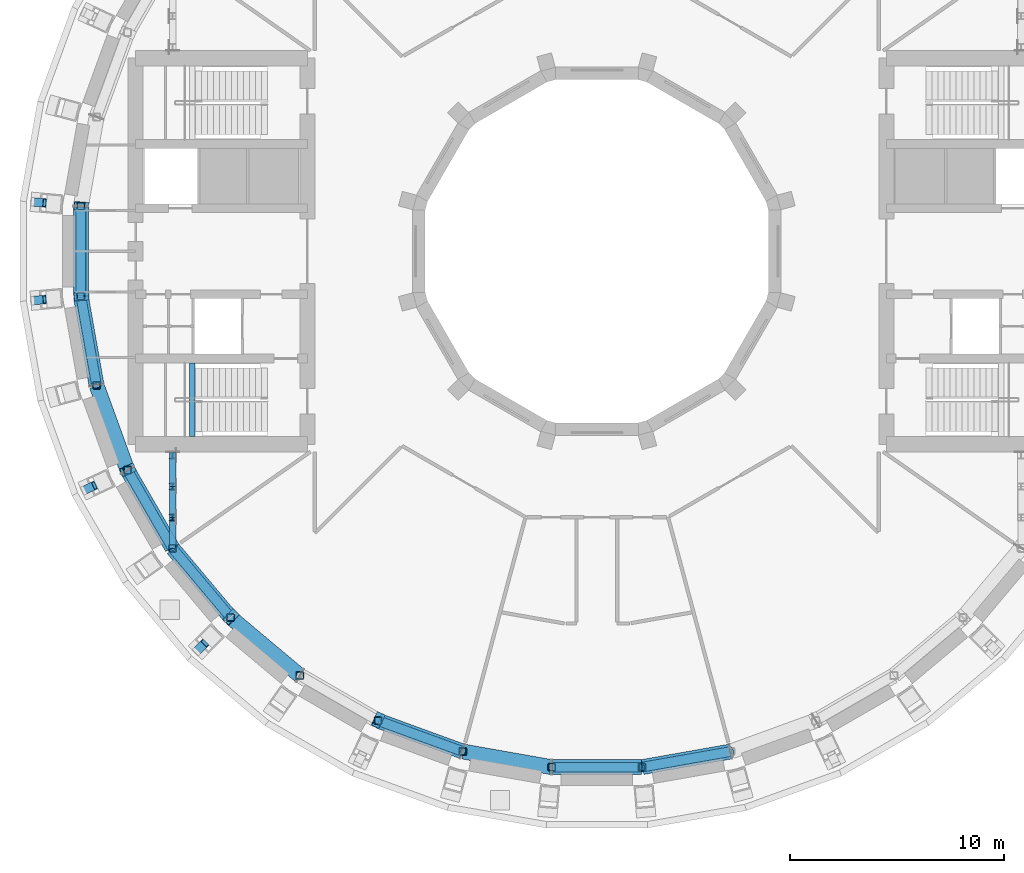
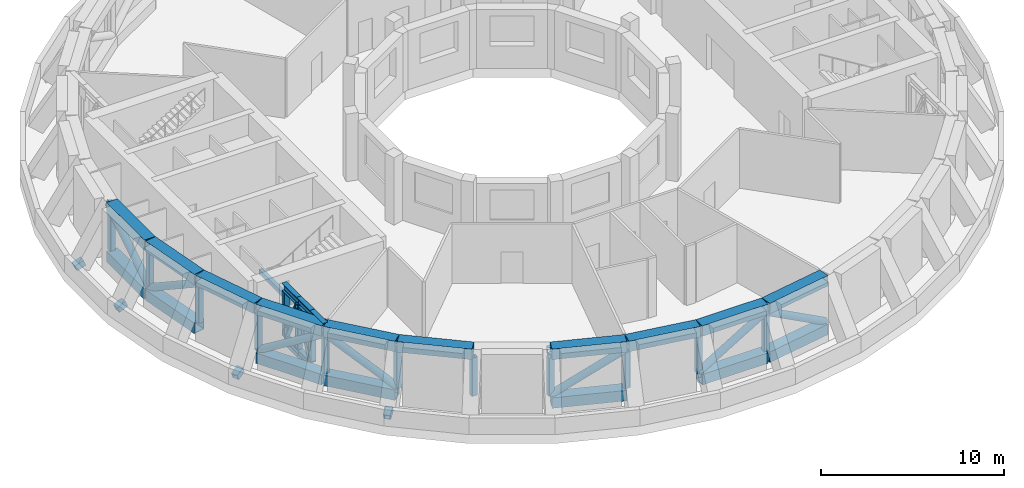
# One storey, part 2 of 20: 45 members, 10 beams.
"""IFC4 building model written with IfcOpenShell, lengths in metres."""

from ifc_helpers import new_model, si_unit, direction, frame, origin, origin_2d, place, context, subcontext, project, spatial, rectangle, hollow_rectangle, hollow_circle, i_section, extrude, material, material_profile, profile_set, type_object, element, save


model = new_model("IFC4")

# Units and contexts
model_context = context("Model", 3, precision=1e-05, world=origin(), true_north=direction((0.0, 1.0)))
body_context = subcontext(model_context, "Body", "Model", "MODEL_VIEW")
ifc_project = project(units=[si_unit("LENGTHUNIT", "METRE"), si_unit("AREAUNIT", "SQUARE_METRE"), si_unit("VOLUMEUNIT", "CUBIC_METRE"), si_unit("PLANEANGLEUNIT", "RADIAN"), si_unit("MASSUNIT", "GRAM", prefix="KILO")], contexts=[model_context])

# Site, building, storey
site_placement = place(None, origin())
site = spatial("IfcSite", under=ifc_project, at=site_placement, CompositionType="ELEMENT")
building_placement = place(site_placement, origin())
building = spatial("IfcBuilding", under=site, at=building_placement, Name="Saqina Gate Tower", CompositionType="ELEMENT")
storey_placement = place(building_placement, frame((0.0, 0.0, 151.300048828125)))
storey = spatial("IfcBuildingStorey", under=building, at=storey_placement, Name="L43", CompositionType="ELEMENT", Elevation=151.300048828125)

# Beam
ifc_material_1 = material(Name="Concrete C40/50", Category="concrete")
ifc_material_profile_1 = material_profile(ifc_material_1, rectangle(XDim=0.25, YDim=0.300048828125, at=origin_2d()), Name="STAIR LANDING BEAM")
ifc_profile_set_1 = profile_set([ifc_material_profile_1], Name="Concrete C40/50")
beam_type_1 = type_object("IfcBeamType", Name="STAIR LANDING BEAM", PredefinedType="BEAM", material=ifc_profile_set_1)
beam_placement = place(storey_placement, frame((-18.860107421875, -8.64990234375, 1.849853515625), z_axis=(0.0, 1.0, 0.0), x_axis=(-1.0, 0.0, 0.0)))
element("IfcBeam", 1, at=beam_placement, inside=storey, type_object=beam_type_1, Name="EXIT STAIR 4 LANDING BEAM", PredefinedType="BEAM", context=body_context, shape_type="SweptSolid", body=[
    extrude(rectangle(XDim=0.25, YDim=0.300048828125, at=origin_2d()), origin(), (0.0, 0.0, 1.0), 3.449951171875),
])

# Members
ifc_material_2 = material(Name="Steel S460", Category="steel")
ifc_material_profile_2 = material_profile(ifc_material_2, hollow_rectangle(XDim=0.699951171875, YDim=0.699951171875, WallThickness=0.0400390625, at=origin_2d()), Name="BOX 700x700x40")
ifc_profile_set_2 = profile_set([ifc_material_profile_2], Name="Steel S460")
member_type_1 = type_object("IfcMemberType", Name="STR-BELT TRUSS L43 CHORD-BOX 700x700x40", PredefinedType="CHORD", material=ifc_profile_set_2)
for number, where, z_axis, x_axis, name in (
    (2, (-24.05810546875, 2.07421875, 0.349853515625), (0.0, -1.0, 0.0), (1.0, 0.0, 0.0), "BELT TRUSS L43 CHORD 040"),
    (3, (-24.05810546875, 2.07421875, 3.599853515625), (0.0, -1.0, 0.0), (1.0, 0.0, 0.0), "BELT TRUSS L43 CHORD 041"),
):
    element("IfcMember", number, at=place(storey_placement, frame(where, z_axis=z_axis, x_axis=x_axis)), inside=storey, type_object=member_type_1, Name=name, PredefinedType="CHORD", context=body_context, shape_type="SweptSolid", body=[
        extrude(hollow_rectangle(XDim=0.699951171875, YDim=0.699951171875, WallThickness=0.0400390625, at=origin_2d()), origin(), (0.0, 0.0, 1.0), 4.1484375),
    ])
for number, where, z_axis, x_axis, name in (
    (4, (-24.052734375, -2.135009765625, 0.349853515625), (0.173620815343, -0.984812577336, 0.0), (0.984812577336, 0.173620815343, 0.0), "BELT TRUSS L43 CHORD 043"),
    (5, (-24.052734375, -2.135009765625, 3.599853515625), (0.173620815343, -0.984812577336, 0.0), (0.984812577336, 0.173620815343, 0.0), "BELT TRUSS L43 CHORD 044"),
):
    element("IfcMember", number, at=place(storey_placement, frame(where, z_axis=z_axis, x_axis=x_axis)), inside=storey, type_object=member_type_1, Name=name, PredefinedType="CHORD", context=body_context, shape_type="SweptSolid", body=[
        extrude(hollow_rectangle(XDim=0.699951171875, YDim=0.699951171875, WallThickness=0.0400390625, at=origin_2d()), origin(), (0.0, 0.0, 1.0), 4.148193359375),
    ])
for number, where, z_axis, x_axis, name in (
    (6, (-23.316650390625, -6.279296875, 3.599853515625), (0.342045465263, -0.939683403968, 0.0), (0.939683403968, 0.342045465263, 0.0), "BELT TRUSS L43 CHORD 046"),
    (7, (-21.8720703125, -10.232666015625, 0.349853515625), (0.4999873519, -0.866032706045, 0.0), (0.866032706045, 0.4999873519, 0.0), "BELT TRUSS L43 CHORD 047"),
    (8, (-21.8720703125, -10.232666015625, 3.599853515625), (0.4999873519, -0.866032706045, 0.0), (0.866032706045, 0.4999873519, 0.0), "BELT TRUSS L43 CHORD 048"),
):
    element("IfcMember", number, at=place(storey_placement, frame(where, z_axis=z_axis, x_axis=x_axis)), inside=storey, type_object=member_type_1, Name=name, PredefinedType="CHORD", context=body_context, shape_type="SweptSolid", body=[
        extrude(hollow_rectangle(XDim=0.699951171875, YDim=0.699951171875, WallThickness=0.0400390625, at=origin_2d()), origin(), (0.0, 0.0, 1.0), 4.1484375),
    ])
for number, where, z_axis, x_axis, name in (
    (9, (-19.762939453125, -13.875244140625, 0.349853515625), (0.642802807898, -0.766031690049, 0.0), (0.766031690049, 0.642802807898, 0.0), "BELT TRUSS L43 CHORD 050"),
    (10, (-19.762939453125, -13.875244140625, 3.599853515625), (0.642802807898, -0.766031690049, 0.0), (0.766031690049, 0.642802807898, 0.0), "BELT TRUSS L43 CHORD 051"),
    (11, (-17.05322265625, -17.09619140625, 3.599853515625), (0.766031690049, -0.642802807898, 0.0), (0.642802807898, 0.766031690049, 0.0), "BELT TRUSS L43 CHORD 053"),
):
    element("IfcMember", number, at=place(storey_placement, frame(where, z_axis=z_axis, x_axis=x_axis)), inside=storey, type_object=member_type_1, Name=name, PredefinedType="CHORD", context=body_context, shape_type="SweptSolid", body=[
        extrude(hollow_rectangle(XDim=0.699951171875, YDim=0.699951171875, WallThickness=0.0400390625, at=origin_2d()), origin(), (0.0, 0.0, 1.0), 4.148681640625),
    ])
for number, where, z_axis, x_axis, name in (
    (12, (-10.177490234375, -21.897705078125, 0.349853515625), (0.939683403968, -0.342045465263, 0.0), (0.342045465263, 0.939683403968, 0.0), "BELT TRUSS L43 CHORD 057"),
    (13, (-10.177490234375, -21.897705078125, 3.599853515625), (0.939683403968, -0.342045465263, 0.0), (0.342045465263, 0.939683403968, 0.0), "BELT TRUSS L43 CHORD 058"),
):
    element("IfcMember", number, at=place(storey_placement, frame(where, z_axis=z_axis, x_axis=x_axis)), inside=storey, type_object=member_type_1, Name=name, PredefinedType="CHORD", context=body_context, shape_type="SweptSolid", body=[
        extrude(hollow_rectangle(XDim=0.699951171875, YDim=0.699951171875, WallThickness=0.0400390625, at=origin_2d()), origin(), (0.0, 0.0, 1.0), 4.1484375),
    ])
member_1_placement = place(storey_placement, frame((-6.22021484375, -23.33251953125, 3.599853515625), z_axis=(0.984812577336, -0.173620815343, 0.0), x_axis=(0.173620815343, 0.984812577336, 0.0)))
element("IfcMember", 14, at=member_1_placement, inside=storey, type_object=member_type_1, Name="BELT TRUSS L43 CHORD 060", PredefinedType="CHORD", context=body_context, shape_type="SweptSolid", body=[
    extrude(hollow_rectangle(XDim=0.699951171875, YDim=0.699951171875, WallThickness=0.0400390625, at=origin_2d()), origin(), (0.0, 0.0, 1.0), 4.148193359375),
])
for number, where, z_axis, x_axis, name in (
    (15, (-2.07421875, -24.05810546875, 0.349853515625), (1.0, 0.0, 0.0), (0.0, 1.0, 0.0), "BELT TRUSS L43 CHORD 061"),
    (16, (-2.07421875, -24.05810546875, 3.599853515625), (1.0, 0.0, 0.0), (0.0, 1.0, 0.0), "BELT TRUSS L43 CHORD 062"),
):
    element("IfcMember", number, at=place(storey_placement, frame(where, z_axis=z_axis, x_axis=x_axis)), inside=storey, type_object=member_type_1, Name=name, PredefinedType="CHORD", context=body_context, shape_type="SweptSolid", body=[
        extrude(hollow_rectangle(XDim=0.699951171875, YDim=0.699951171875, WallThickness=0.0400390625, at=origin_2d()), origin(), (0.0, 0.0, 1.0), 4.1484375),
    ])
for number, where, z_axis, x_axis, name in (
    (17, (2.135009765625, -24.052734375, 0.349853515625), (0.984812577336, 0.173620815343, 0.0), (-0.173620815343, 0.984812577336, 0.0), "BELT TRUSS L43 CHORD 064"),
    (18, (2.135009765625, -24.052734375, 3.599853515625), (0.984812577336, 0.173620815343, 0.0), (-0.173620815343, 0.984812577336, 0.0), "BELT TRUSS L43 CHORD 065"),
):
    element("IfcMember", number, at=place(storey_placement, frame(where, z_axis=z_axis, x_axis=x_axis)), inside=storey, type_object=member_type_1, Name=name, PredefinedType="CHORD", context=body_context, shape_type="SweptSolid", body=[
        extrude(hollow_rectangle(XDim=0.699951171875, YDim=0.699951171875, WallThickness=0.0400390625, at=origin_2d()), origin(), (0.0, 0.0, 1.0), 4.148193359375),
    ])
ifc_material_3 = material(Name="Steel S460", Category="steel")
ifc_material_profile_3 = material_profile(ifc_material_3, hollow_circle(Radius=0.228515625, WallThickness=0.02001953125, at=origin_2d()), Name="CHS 457x20")
ifc_profile_set_3 = profile_set([ifc_material_profile_3], Name="Steel S460")
member_type_2 = type_object("IfcMemberType", Name="STR-BELT TRUSS L43 DIAGONAL-CHS 457x20", PredefinedType="BRACE", material=ifc_profile_set_3)
for number, where, z_axis, x_axis, name in (
    (19, (-24.05810546875, 2.114990234375, 3.256103515625), (0.0, -0.855320477382, -0.51809929644), (1.0, 0.0, 0.0), "BELT TRUSS L43 DIAGONAL 042"),
    (20, (-24.059814453125, -2.0947265625, 0.69384765625), (0.148493144283, -0.842333284872, 0.518096924617), (0.98481433833, 0.173610826332, 0.0), "BELT TRUSS L43 DIAGONAL 045"),
):
    element("IfcMember", number, at=place(storey_placement, frame(where, z_axis=z_axis, x_axis=x_axis)), inside=storey, type_object=member_type_2, Name=name, PredefinedType="BRACE", context=body_context, shape_type="SweptSolid", body=[
        extrude(hollow_circle(Radius=0.228515625, WallThickness=0.02001953125, at=origin_2d()), origin(), (0.0, 0.0, 1.0), 4.945556640625),
    ])
member_2_placement = place(storey_placement, frame((-21.892578125, -10.197265625, 0.69384765625), z_axis=(0.427681122719, -0.740741335125, 0.518064794892), x_axis=(0.86601836006, 0.500012199891, 0.0)))
element("IfcMember", 21, at=member_2_placement, inside=storey, type_object=member_type_2, Name="BELT TRUSS L43 DIAGONAL 049", PredefinedType="BRACE", context=body_context, shape_type="SweptSolid", body=[
    extrude(hollow_circle(Radius=0.228515625, WallThickness=0.02001953125, at=origin_2d()), origin(), (0.0, 0.0, 1.0), 4.94580078125),
])
for number, where, z_axis, x_axis, name in (
    (22, (-19.7890625, -13.843994140625, 3.256103515625), (0.549782396267, -0.655226878482, -0.51808981313), (0.766054941211, 0.64277509834, 0.0), "BELT TRUSS L43 DIAGONAL 052"),
    (23, (-10.2158203125, -21.8837890625, 0.69384765625), (0.803751972333, -0.292533729766, 0.518079901096), (0.34201181836, 0.939695650784, 0.0), "BELT TRUSS L43 DIAGONAL 059"),
    (24, (-2.114990234375, -24.05810546875, 0.69384765625), (0.855320477382, 0.0, 0.51809929644), (0.0, 1.0, 0.0), "BELT TRUSS L43 DIAGONAL 063"),
    (25, (2.0947265625, -24.059814453125, 3.256103515625), (0.842333284872, 0.148493144283, -0.518096924617), (-0.173610826332, 0.98481433833, 0.0), "BELT TRUSS L43 DIAGONAL 066"),
):
    element("IfcMember", number, at=place(storey_placement, frame(where, z_axis=z_axis, x_axis=x_axis)), inside=storey, type_object=member_type_2, Name=name, PredefinedType="BRACE", context=body_context, shape_type="SweptSolid", body=[
        extrude(hollow_circle(Radius=0.228515625, WallThickness=0.02001953125, at=origin_2d()), origin(), (0.0, 0.0, 1.0), 4.945556640625),
    ])
ifc_material_4 = material(Name="Steel S460", Category="steel")
ifc_material_profile_4 = material_profile(ifc_material_4, hollow_rectangle(XDim=0.35009765625, YDim=0.35009765625, WallThickness=0.01611328125, InnerFilletRadius=0.031982421875, OuterFilletRadius=0.048095703125, at=origin_2d()), Name="SHS 350x350x16")
ifc_profile_set_4 = profile_set([ifc_material_profile_4], Name="Steel S460")
member_type_3 = type_object("IfcMemberType", Name="STR-BELT TRUSS L43 POST-SHS 350x350x16", PredefinedType="POST", material=ifc_profile_set_4)
for number, where, z_axis, x_axis, name in (
    (26, (-24.05810546875, 2.104736328125, 0.699951171875), (0.0, 0.0, 1.0), (1.0, 0.0, 0.0), "BELT TRUSS L43 POST 101"),
    (27, (-24.05810546875, -2.104736328125, 0.699951171875), (0.0, 0.0, 1.0), (1.0, 0.0, 0.0), "BELT TRUSS L43 POST 102"),
    (28, (-23.3271484375, -6.25048828125, 0.699951171875), (0.0, 0.0, 1.0), (1.0, 0.0, 0.0), "BELT TRUSS L43 POST 103"),
    (29, (-21.887451171875, -10.206298828125, 0.699951171875), (0.0, 0.0, 1.0), (1.0, 0.0, 0.0), "BELT TRUSS L43 POST 104"),
    (30, (-19.782470703125, -13.851806640625, 0.699951171875), (0.0, 0.0, 1.0), (1.0, 0.0, 0.0), "BELT TRUSS L43 POST 105"),
    (31, (-17.07666015625, -17.07666015625, 0.699951171875), (0.0, 0.0, 1.0), (1.0, 0.0, 0.0), "BELT TRUSS L43 POST 106"),
    (32, (-13.851806640625, -19.782470703125, 0.699951171875), (0.0, 0.0, 1.0), (1.0, 0.0, 0.0), "BELT TRUSS L43 POST 107"),
    (33, (-10.206298828125, -21.887451171875, 0.699951171875), (0.0, 0.0, 1.0), (1.0, 0.0, 0.0), "BELT TRUSS L43 POST 108"),
    (34, (-6.25048828125, -23.3271484375, 0.699951171875), (0.0, 0.0, 1.0), (1.0, 0.0, 0.0), "BELT TRUSS L43 POST 109"),
    (35, (-2.104736328125, -24.05810546875, 0.699951171875), (0.0, 0.0, 1.0), (1.0, 0.0, 0.0), "BELT TRUSS L43 POST 110"),
    (36, (2.104736328125, -24.05810546875, 0.699951171875), (0.0, 0.0, 1.0), (1.0, 0.0, 0.0), "BELT TRUSS L43 POST 111"),
):
    element("IfcMember", number, at=place(storey_placement, frame(where, z_axis=z_axis, x_axis=x_axis)), inside=storey, type_object=member_type_3, Name=name, PredefinedType="POST", context=body_context, shape_type="SweptSolid", body=[
        extrude(hollow_rectangle(XDim=0.35009765625, YDim=0.35009765625, WallThickness=0.01611328125, InnerFilletRadius=0.031982421875, OuterFilletRadius=0.048095703125, at=origin_2d()), origin(), (0.0, 0.0, 1.0), 2.550048828125),
    ])

# Beams
ifc_material_5 = material(Name="Steel S460", Category="steel")
ifc_material_profile_5 = material_profile(ifc_material_5, hollow_rectangle(XDim=0.39990234375, YDim=0.39990234375, WallThickness=0.030029296875, at=origin_2d()), Name="BOX 400x400x30")
ifc_profile_set_5 = profile_set([ifc_material_profile_5], Name="Steel S460")
beam_type_2 = type_object("IfcBeamType", Name="STR-NODE TIE BEAM L43-BOX 400x400x30", PredefinedType="BEAM", material=ifc_profile_set_5)
for number, where, z_axis, x_axis, name in (
    (37, (-26.299560546875, 2.301025390625, 0.185302734375), (0.923078485034, -0.081036747572, 0.37597760041), (0.087453305759, 0.996168619919, 0.0), "NODE TIE BEAM L43 18 FOOT"),
    (38, (-23.75927734375, 2.07861328125, 3.54150390625), (-0.923078485034, 0.081036747572, 0.37597760041), (-0.087453305759, -0.996168619919, 0.0), "NODE TIE BEAM L43 18 HEAD"),
    (39, (-26.299560546875, -2.301025390625, 0.185302734375), (0.923078485034, 0.081036747572, 0.37597760041), (-0.087453305759, 0.996168619919, 0.0), "NODE TIE BEAM L43 19 FOOT"),
    (40, (-23.75927734375, -2.07861328125, 3.54150390625), (-0.923078485034, -0.081036747572, 0.37597760041), (0.087453305759, -0.996168619919, 0.0), "NODE TIE BEAM L43 19 HEAD"),
    (41, (-23.926513671875, -11.1572265625, 0.185302734375), (0.839862544112, 0.39155197943, 0.37592280378), (-0.42254525848, 0.906341825437, 0.0), "NODE TIE BEAM L43 21 FOOT"),
    (42, (-21.615478515625, -10.079345703125, 3.54150390625), (-0.839862544112, -0.39155197943, 0.37592280378), (0.42254525848, -0.906341825437, 0.0), "NODE TIE BEAM L43 21 HEAD"),
    (43, (-18.667724609375, -18.667724609375, 0.185302734375), (0.655234170269, 0.655234170269, 0.375947289156), (-0.707106781187, 0.707106781187, 0.0), "NODE TIE BEAM L43 23 FOOT"),
    (44, (-16.864501953125, -16.864501953125, 3.54150390625), (-0.655234170269, -0.655234170269, 0.375947289156), (0.707106781187, -0.707106781187, 0.0), "NODE TIE BEAM L43 23 HEAD"),
    (45, (-10.079345703125, -21.615478515625, 3.54150390625), (-0.39155197943, -0.839862544112, 0.37592280378), (0.906341825437, -0.42254525848, 0.0), "NODE TIE BEAM L43 25 HEAD"),
):
    element("IfcBeam", number, at=place(storey_placement, frame(where, z_axis=z_axis, x_axis=x_axis)), inside=storey, type_object=beam_type_2, Name=name, PredefinedType="BEAM", context=body_context, shape_type="SweptSolid", body=[
        extrude(hollow_rectangle(XDim=0.39990234375, YDim=0.39990234375, WallThickness=0.030029296875, at=origin_2d()), origin(), (0.0, 0.0, 1.0), 0.593505859375),
    ])

# Members
ifc_material_6 = material(Name="Steel S460", Category="steel")
ifc_material_profile_6 = material_profile(ifc_material_6, i_section(OverallWidth=0.305908203125, OverallDepth=0.52392578125, WebThickness=0.02099609375, FlangeThickness=0.0400390625, FilletRadius=0.027099609375, at=origin_2d()), Name="HE 500 M")
ifc_profile_set_6 = profile_set([ifc_material_profile_6], Name="Steel S460")
member_type_4 = type_object("IfcMemberType", Name="STR-OUTRIGGER TRUSS L43 CHORD-HE 500 M", PredefinedType="CHORD", material=ifc_profile_set_6)
for number, where, z_axis, x_axis, name in (
    (46, (-19.782470703125, -9.367919921875, 0.261962890625), (0.0, -1.0, 0.0), (1.0, 0.0, 0.0), "OUTRIGGER TRUSS L43 CHORD 150"),
    (47, (-19.782470703125, -9.367919921875, 3.68798828125), (0.0, -1.0, 0.0), (1.0, 0.0, 0.0), "OUTRIGGER TRUSS L43 CHORD 151"),
):
    element("IfcMember", number, at=place(storey_placement, frame(where, z_axis=z_axis, x_axis=x_axis)), inside=storey, type_object=member_type_4, Name=name, PredefinedType="CHORD", context=body_context, shape_type="SweptSolid", body=[
        extrude(i_section(OverallWidth=0.305908203125, OverallDepth=0.52392578125, WebThickness=0.02099609375, FlangeThickness=0.0400390625, FilletRadius=0.027099609375, at=origin_2d()), origin(), (0.0, 0.0, 1.0), 1.5947265625),
    ])
for number, where, z_axis, x_axis, name in (
    (48, (-19.782470703125, -10.962646484375, 0.261962890625), (0.0, -1.0, 0.0), (1.0, 0.0, 0.0), "OUTRIGGER TRUSS L43 CHORD 153"),
    (49, (-19.782470703125, -10.962646484375, 3.68798828125), (0.0, -1.0, 0.0), (1.0, 0.0, 0.0), "OUTRIGGER TRUSS L43 CHORD 154"),
    (50, (-19.782470703125, -12.4072265625, 3.68798828125), (0.0, -1.0, 0.0), (1.0, 0.0, 0.0), "OUTRIGGER TRUSS L43 CHORD 156"),
):
    element("IfcMember", number, at=place(storey_placement, frame(where, z_axis=z_axis, x_axis=x_axis)), inside=storey, type_object=member_type_4, Name=name, PredefinedType="CHORD", context=body_context, shape_type="SweptSolid", body=[
        extrude(i_section(OverallWidth=0.305908203125, OverallDepth=0.52392578125, WebThickness=0.02099609375, FlangeThickness=0.0400390625, FilletRadius=0.027099609375, at=origin_2d()), origin(), (0.0, 0.0, 1.0), 1.444580078125),
    ])
ifc_material_7 = material(Name="Steel S460", Category="steel")
ifc_material_profile_7 = material_profile(ifc_material_7, i_section(OverallWidth=0.31005859375, OverallDepth=0.340087890625, WebThickness=0.02099609375, FlangeThickness=0.0390625, FilletRadius=0.027099609375, at=origin_2d()), Name="HE 300 M")
ifc_profile_set_7 = profile_set([ifc_material_profile_7], Name="Steel S460")
member_type_5 = type_object("IfcMemberType", Name="STR-OUTRIGGER TRUSS L43 DIAGONAL-HE 300 M", PredefinedType="BRACE", material=ifc_profile_set_7)
for number, where, z_axis, x_axis, name in (
    (51, (-19.782470703125, -9.5126953125, 0.51318359375), (0.0, -0.445628039484, 0.89521821386), (1.0, 0.0, 0.0), "OUTRIGGER TRUSS L43 DIAGONAL 152"),
    (52, (-19.782470703125, -10.957275390625, 3.436767578125), (0.0, -0.445628039484, -0.89521821386), (1.0, 0.0, 0.0), "OUTRIGGER TRUSS L43 DIAGONAL 155"),
):
    element("IfcMember", number, at=place(storey_placement, frame(where, z_axis=z_axis, x_axis=x_axis)), inside=storey, type_object=member_type_5, Name=name, PredefinedType="BRACE", context=body_context, shape_type="SweptSolid", body=[
        extrude(i_section(OverallWidth=0.31005859375, OverallDepth=0.340087890625, WebThickness=0.02099609375, FlangeThickness=0.0390625, FilletRadius=0.027099609375, at=origin_2d()), origin(), (0.0, 0.0, 1.0), 3.265869140625),
    ])
ifc_material_8 = material(Name="Steel S460", Category="steel")
ifc_material_profile_8 = material_profile(ifc_material_8, i_section(OverallWidth=0.300048828125, OverallDepth=0.300048828125, WebThickness=0.010986328125, FlangeThickness=0.01904296875, FilletRadius=0.027099609375, at=origin_2d()), Name="HE 300 B")
ifc_profile_set_8 = profile_set([ifc_material_profile_8], Name="Steel S460")
member_type_6 = type_object("IfcMemberType", Name="STR-OUTRIGGER TRUSS L43 POST-HE 300 B", PredefinedType="POST", material=ifc_profile_set_8)
for number, where, z_axis, x_axis, name in (
    (53, (-19.782470703125, -9.51806640625, 0.52392578125), (0.0, 0.0, 1.0), (1.0, 0.0, 0.0), "OUTRIGGER TRUSS L43 POST 157"),
    (54, (-19.782470703125, -10.962646484375, 0.52392578125), (0.0, 0.0, 1.0), (1.0, 0.0, 0.0), "OUTRIGGER TRUSS L43 POST 158"),
    (55, (-19.782470703125, -12.4072265625, 0.52392578125), (0.0, 0.0, 1.0), (1.0, 0.0, 0.0), "OUTRIGGER TRUSS L43 POST 159"),
):
    element("IfcMember", number, at=place(storey_placement, frame(where, z_axis=z_axis, x_axis=x_axis)), inside=storey, type_object=member_type_6, Name=name, PredefinedType="POST", context=body_context, shape_type="SweptSolid", body=[
        extrude(i_section(OverallWidth=0.300048828125, OverallDepth=0.300048828125, WebThickness=0.010986328125, FlangeThickness=0.01904296875, FilletRadius=0.027099609375, at=origin_2d()), origin(), (0.0, 0.0, 1.0), 2.902099609375),
    ])

save(model, "model.ifc")
